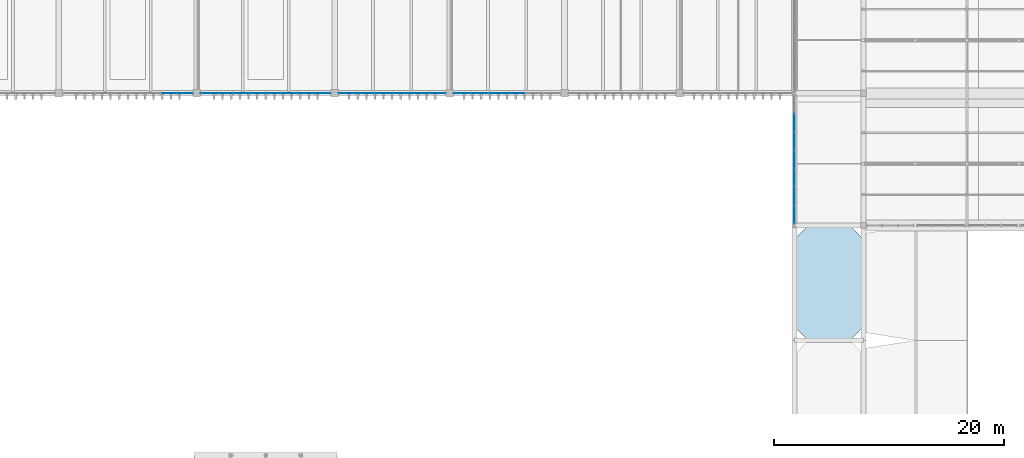
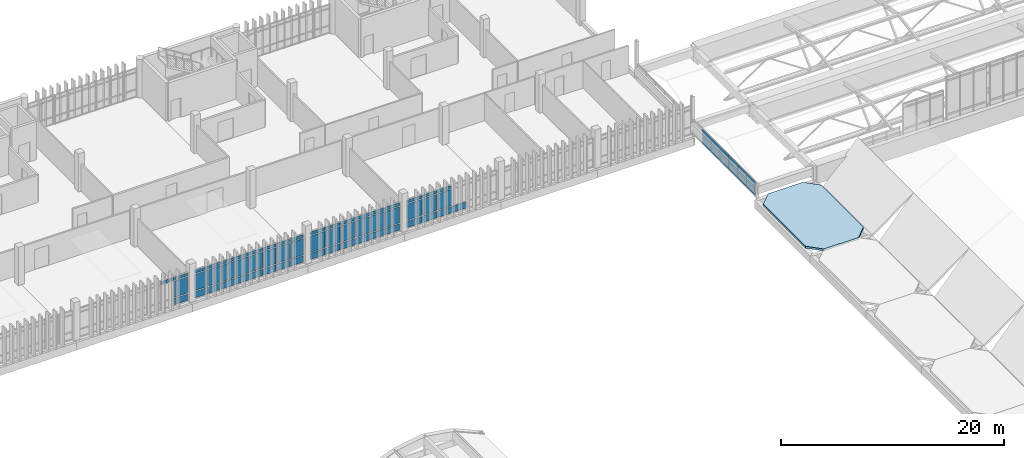
# One storey, part 68 of 82: 68 plates, 1 slab, 5 elements without a shape of their own.
"""IFC4 building model written with IfcOpenShell, lengths in metres."""

from ifc_helpers import new_model, si_unit, direction, frame, origin, origin_2d, place, context, subcontext, project, spatial, polyline, rectangle, outline, extrude, material, layer, layer_set, type_object, element, aggregate, save


model = new_model("IFC4")

# Units and contexts
model_context = context("Model", 3, precision=1e-05, world=origin(), true_north=direction((0.0, 1.0)))
body_context = subcontext(model_context, "Body", "Model", "MODEL_VIEW")
ifc_project = project(units=[si_unit("LENGTHUNIT", "METRE"), si_unit("AREAUNIT", "SQUARE_METRE"), si_unit("VOLUMEUNIT", "CUBIC_METRE"), si_unit("PLANEANGLEUNIT", "RADIAN"), si_unit("MASSUNIT", "GRAM", prefix="KILO")], contexts=[model_context])

# Site, building, storey
site_placement = place(None, origin())
site = spatial("IfcSite", under=ifc_project, at=site_placement, CompositionType="ELEMENT")
building_placement = place(site_placement, origin())
building = spatial("IfcBuilding", under=site, at=building_placement, Name="Mersad Railyard Sports Hall", CompositionType="ELEMENT")
storey_placement = place(building_placement, frame((0.0, 0.0, 13.199951171875)))
storey = spatial("IfcBuildingStorey", under=building, at=storey_placement, Name="L03", CompositionType="ELEMENT", Elevation=13.199951171875)

# Curtain wall, plates
ifc_material_1 = material(Name="Aluminium 6063-T6", Category="aluminium")
ifc_layer_1 = layer(ifc_material_1, 0.159912109375)
ifc_layer_set_1 = layer_set([ifc_layer_1], Name="Aluminium 6063-T6")
curtain_wall_type_1 = type_object("IfcCurtainWallType", Name="ARC-CW-CW21", PredefinedType="USERDEFINED", material=ifc_layer_set_1)
curtain_wall_1_placement = place(storey_placement, origin())
curtain_wall_1 = element("IfcCurtainWall", 1, at=curtain_wall_1_placement, inside=storey, type_object=curtain_wall_type_1, Name="Curtain wall CW21-0080", ObjectType="CURTAIN WALL", PredefinedType="USERDEFINED")
ifc_material_2 = material(Name="Solar-control glass", Category="glass")
ifc_layer_2 = layer(ifc_material_2, 0.028076171875)
ifc_layer_set_2 = layer_set([ifc_layer_2], Name="Solar-control glass")
plate_type = type_object("IfcPlateType", Name="ARC-CW-PNL01", PredefinedType="CURTAIN_PANEL", material=ifc_layer_set_2)
plate_1_placement = place(storey_placement, frame((131.0, 74.467041015625, 0.0849609375), z_axis=(0.0, 0.0, 1.0), x_axis=(0.0, 1.0, 0.0)))
plate_1 = element("IfcPlate", 2, at=plate_1_placement, type_object=plate_type, Name="CW21 Glazed panel 1-1", PredefinedType="CURTAIN_PANEL", context=body_context, shape_type="SweptSolid", body=[
    extrude(rectangle(XDim=1.55029296875, YDim=0.028076171875, at=origin_2d()), origin(), (0.0, 0.0, 1.0), 0.735107421875),
])
plate_2_placement = place(storey_placement, frame((131.0, 74.467041015625, 0.91015625), z_axis=(0.0, 0.0, 1.0), x_axis=(0.0, 1.0, 0.0)))
plate_2 = element("IfcPlate", 3, at=plate_2_placement, type_object=plate_type, Name="CW21 Glazed panel 1-2", PredefinedType="CURTAIN_PANEL", context=body_context, shape_type="SweptSolid", body=[
    extrude(rectangle(XDim=1.55029296875, YDim=0.028076171875, at=origin_2d()), origin(), (0.0, 0.0, 1.0), 0.735107421875),
])
plate_3_placement = place(storey_placement, frame((131.0, 76.0615234375, 0.0849609375), z_axis=(0.0, 0.0, 1.0), x_axis=(0.0, 1.0, 0.0)))
plate_3 = element("IfcPlate", 4, at=plate_3_placement, type_object=plate_type, Name="CW21 Glazed panel 2-1", PredefinedType="CURTAIN_PANEL", context=body_context, shape_type="SweptSolid", body=[
    extrude(rectangle(XDim=1.55029296875, YDim=0.028076171875, at=origin_2d()), origin(), (0.0, 0.0, 1.0), 0.735107421875),
])
plate_4_placement = place(storey_placement, frame((131.0, 76.0615234375, 0.91015625), z_axis=(0.0, 0.0, 1.0), x_axis=(0.0, 1.0, 0.0)))
plate_4 = element("IfcPlate", 5, at=plate_4_placement, type_object=plate_type, Name="CW21 Glazed panel 2-2", PredefinedType="CURTAIN_PANEL", context=body_context, shape_type="SweptSolid", body=[
    extrude(rectangle(XDim=1.55029296875, YDim=0.028076171875, at=origin_2d()), origin(), (0.0, 0.0, 1.0), 0.735107421875),
])
plate_5_placement = place(storey_placement, frame((131.0, 77.65576171875, 0.0849609375), z_axis=(0.0, 0.0, 1.0), x_axis=(0.0, 1.0, 0.0)))
plate_5 = element("IfcPlate", 6, at=plate_5_placement, type_object=plate_type, Name="CW21 Glazed panel 3-1", PredefinedType="CURTAIN_PANEL", context=body_context, shape_type="SweptSolid", body=[
    extrude(rectangle(XDim=1.55029296875, YDim=0.028076171875, at=origin_2d()), origin(), (0.0, 0.0, 1.0), 0.735107421875),
])
plate_6_placement = place(storey_placement, frame((131.0, 77.65576171875, 0.91015625), z_axis=(0.0, 0.0, 1.0), x_axis=(0.0, 1.0, 0.0)))
plate_6 = element("IfcPlate", 7, at=plate_6_placement, type_object=plate_type, Name="CW21 Glazed panel 3-2", PredefinedType="CURTAIN_PANEL", context=body_context, shape_type="SweptSolid", body=[
    extrude(rectangle(XDim=1.55029296875, YDim=0.028076171875, at=origin_2d()), origin(), (0.0, 0.0, 1.0), 0.735107421875),
])
plate_7_placement = place(storey_placement, frame((131.0, 79.25, 0.0849609375), z_axis=(0.0, 0.0, 1.0), x_axis=(0.0, 1.0, 0.0)))
plate_7 = element("IfcPlate", 8, at=plate_7_placement, type_object=plate_type, Name="CW21 Glazed panel 4-1", PredefinedType="CURTAIN_PANEL", context=body_context, shape_type="SweptSolid", body=[
    extrude(rectangle(XDim=1.55029296875, YDim=0.028076171875, at=origin_2d()), origin(), (0.0, 0.0, 1.0), 0.735107421875),
])
plate_8_placement = place(storey_placement, frame((131.0, 79.25, 0.91015625), z_axis=(0.0, 0.0, 1.0), x_axis=(0.0, 1.0, 0.0)))
plate_8 = element("IfcPlate", 9, at=plate_8_placement, type_object=plate_type, Name="CW21 Glazed panel 4-2", PredefinedType="CURTAIN_PANEL", context=body_context, shape_type="SweptSolid", body=[
    extrude(rectangle(XDim=1.55029296875, YDim=0.028076171875, at=origin_2d()), origin(), (0.0, 0.0, 1.0), 0.735107421875),
])
plate_9_placement = place(storey_placement, frame((131.0, 80.84423828125, 0.0849609375), z_axis=(0.0, 0.0, 1.0), x_axis=(0.0, 1.0, 0.0)))
plate_9 = element("IfcPlate", 10, at=plate_9_placement, type_object=plate_type, Name="CW21 Glazed panel 5-1", PredefinedType="CURTAIN_PANEL", context=body_context, shape_type="SweptSolid", body=[
    extrude(rectangle(XDim=1.55029296875, YDim=0.028076171875, at=origin_2d()), origin(), (0.0, 0.0, 1.0), 0.735107421875),
])
plate_10_placement = place(storey_placement, frame((131.0, 80.84423828125, 0.91015625), z_axis=(0.0, 0.0, 1.0), x_axis=(0.0, 1.0, 0.0)))
plate_10 = element("IfcPlate", 11, at=plate_10_placement, type_object=plate_type, Name="CW21 Glazed panel 5-2", PredefinedType="CURTAIN_PANEL", context=body_context, shape_type="SweptSolid", body=[
    extrude(rectangle(XDim=1.55029296875, YDim=0.028076171875, at=origin_2d()), origin(), (0.0, 0.0, 1.0), 0.735107421875),
])
plate_11_placement = place(storey_placement, frame((131.0, 82.4384765625, 0.0849609375), z_axis=(0.0, 0.0, 1.0), x_axis=(0.0, 1.0, 0.0)))
plate_11 = element("IfcPlate", 12, at=plate_11_placement, type_object=plate_type, Name="CW21 Glazed panel 6-1", PredefinedType="CURTAIN_PANEL", context=body_context, shape_type="SweptSolid", body=[
    extrude(rectangle(XDim=1.55029296875, YDim=0.028076171875, at=origin_2d()), origin(), (0.0, 0.0, 1.0), 0.735107421875),
])
plate_12_placement = place(storey_placement, frame((131.0, 82.4384765625, 0.91015625), z_axis=(0.0, 0.0, 1.0), x_axis=(0.0, 1.0, 0.0)))
plate_12 = element("IfcPlate", 13, at=plate_12_placement, type_object=plate_type, Name="CW21 Glazed panel 6-2", PredefinedType="CURTAIN_PANEL", context=body_context, shape_type="SweptSolid", body=[
    extrude(rectangle(XDim=1.55029296875, YDim=0.028076171875, at=origin_2d()), origin(), (0.0, 0.0, 1.0), 0.735107421875),
])
aggregate(curtain_wall_1, [plate_1, plate_2, plate_3, plate_4, plate_5, plate_6, plate_7, plate_8, plate_9, plate_10, plate_11, plate_12])

ifc_layer_3 = layer(ifc_material_1, 0.159912109375)
ifc_layer_set_3 = layer_set([ifc_layer_3], Name="Aluminium 6063-T6")
curtain_wall_type_2 = type_object("IfcCurtainWallType", Name="ARC-CW-CW59", PredefinedType="USERDEFINED", material=ifc_layer_set_3)
curtain_wall_2_placement = place(storey_placement, origin())
curtain_wall_2 = element("IfcCurtainWall", 14, at=curtain_wall_2_placement, inside=storey, type_object=curtain_wall_type_2, Name="Curtain wall CW59-0156", ObjectType="CURTAIN WALL", PredefinedType="USERDEFINED")
plate_13_placement = place(storey_placement, frame((77.9482421875, 85.0, 0.0849609375), z_axis=(0.0, 0.0, 1.0), x_axis=(-1.0, 0.0, 0.0)))
plate_13 = element("IfcPlate", 15, at=plate_13_placement, type_object=plate_type, Name="CW59 Glazed panel 1-1", PredefinedType="CURTAIN_PANEL", context=body_context, shape_type="SweptSolid", body=[
    extrude(rectangle(XDim=1.36962890625, YDim=0.028076171875, at=origin_2d()), origin(), (0.0, 0.0, 1.0), 0.719970703125),
])
plate_14_placement = place(storey_placement, frame((77.9482421875, 85.0, 0.89501953125), z_axis=(0.0, 0.0, 1.0), x_axis=(-1.0, 0.0, 0.0)))
plate_14 = element("IfcPlate", 16, at=plate_14_placement, type_object=plate_type, Name="CW59 Glazed panel 1-2", PredefinedType="CURTAIN_PANEL", context=body_context, shape_type="SweptSolid", body=[
    extrude(rectangle(XDim=1.36962890625, YDim=0.028076171875, at=origin_2d()), origin(), (0.0, 0.0, 1.0), 1.7900390625),
])
plate_15_placement = place(storey_placement, frame((77.9482421875, 85.0, 2.77490234375), z_axis=(0.0, 0.0, 1.0), x_axis=(-1.0, 0.0, 0.0)))
plate_15 = element("IfcPlate", 17, at=plate_15_placement, type_object=plate_type, Name="CW59 Glazed panel 1-3", PredefinedType="CURTAIN_PANEL", context=body_context, shape_type="SweptSolid", body=[
    extrude(rectangle(XDim=1.36962890625, YDim=0.028076171875, at=origin_2d()), origin(), (0.0, 0.0, 1.0), 0.35009765625),
])
plate_16_placement = place(storey_placement, frame((76.534423828125, 85.0, 2.77490234375), z_axis=(0.0, 0.0, 1.0), x_axis=(-1.0, 0.0, 0.0)))
plate_16 = element("IfcPlate", 18, at=plate_16_placement, type_object=plate_type, Name="CW59 Glazed panel 2-3", PredefinedType="CURTAIN_PANEL", context=body_context, shape_type="SweptSolid", body=[
    extrude(rectangle(XDim=1.36962890625, YDim=0.028076171875, at=origin_2d()), origin(), (0.0, 0.0, 1.0), 0.35009765625),
])
aggregate(curtain_wall_2, [plate_13, plate_14, plate_15, plate_16])

curtain_wall_3_placement = place(storey_placement, origin())
curtain_wall_3 = element("IfcCurtainWall", 19, at=curtain_wall_3_placement, inside=storey, type_object=curtain_wall_type_2, Name="Curtain wall CW59-0157", ObjectType="CURTAIN WALL", PredefinedType="USERDEFINED")
plate_17_placement = place(storey_placement, frame((89.9482421875, 85.0, 0.0849609375), z_axis=(0.0, 0.0, 1.0), x_axis=(-1.0, 0.0, 0.0)))
plate_17 = element("IfcPlate", 20, at=plate_17_placement, type_object=plate_type, Name="CW59 Glazed panel 1-1", PredefinedType="CURTAIN_PANEL", context=body_context, shape_type="SweptSolid", body=[
    extrude(rectangle(XDim=1.36962890625, YDim=0.028076171875, at=origin_2d()), origin(), (0.0, 0.0, 1.0), 0.719970703125),
])
plate_18_placement = place(storey_placement, frame((89.9482421875, 85.0, 0.89501953125), z_axis=(0.0, 0.0, 1.0), x_axis=(-1.0, 0.0, 0.0)))
plate_18 = element("IfcPlate", 21, at=plate_18_placement, type_object=plate_type, Name="CW59 Glazed panel 1-2", PredefinedType="CURTAIN_PANEL", context=body_context, shape_type="SweptSolid", body=[
    extrude(rectangle(XDim=1.36962890625, YDim=0.028076171875, at=origin_2d()), origin(), (0.0, 0.0, 1.0), 1.7900390625),
])
plate_19_placement = place(storey_placement, frame((89.9482421875, 85.0, 2.77490234375), z_axis=(0.0, 0.0, 1.0), x_axis=(-1.0, 0.0, 0.0)))
plate_19 = element("IfcPlate", 22, at=plate_19_placement, type_object=plate_type, Name="CW59 Glazed panel 1-3", PredefinedType="CURTAIN_PANEL", context=body_context, shape_type="SweptSolid", body=[
    extrude(rectangle(XDim=1.36962890625, YDim=0.028076171875, at=origin_2d()), origin(), (0.0, 0.0, 1.0), 0.35009765625),
])
plate_20_placement = place(storey_placement, frame((88.534423828125, 85.0, 0.0849609375), z_axis=(0.0, 0.0, 1.0), x_axis=(-1.0, 0.0, 0.0)))
plate_20 = element("IfcPlate", 23, at=plate_20_placement, type_object=plate_type, Name="CW59 Glazed panel 2-1", PredefinedType="CURTAIN_PANEL", context=body_context, shape_type="SweptSolid", body=[
    extrude(rectangle(XDim=1.36962890625, YDim=0.028076171875, at=origin_2d()), origin(), (0.0, 0.0, 1.0), 0.719970703125),
])
plate_21_placement = place(storey_placement, frame((88.534423828125, 85.0, 0.89501953125), z_axis=(0.0, 0.0, 1.0), x_axis=(-1.0, 0.0, 0.0)))
plate_21 = element("IfcPlate", 24, at=plate_21_placement, type_object=plate_type, Name="CW59 Glazed panel 2-2", PredefinedType="CURTAIN_PANEL", context=body_context, shape_type="SweptSolid", body=[
    extrude(rectangle(XDim=1.36962890625, YDim=0.028076171875, at=origin_2d()), origin(), (0.0, 0.0, 1.0), 1.7900390625),
])
plate_22_placement = place(storey_placement, frame((88.534423828125, 85.0, 2.77490234375), z_axis=(0.0, 0.0, 1.0), x_axis=(-1.0, 0.0, 0.0)))
plate_22 = element("IfcPlate", 25, at=plate_22_placement, type_object=plate_type, Name="CW59 Glazed panel 2-3", PredefinedType="CURTAIN_PANEL", context=body_context, shape_type="SweptSolid", body=[
    extrude(rectangle(XDim=1.36962890625, YDim=0.028076171875, at=origin_2d()), origin(), (0.0, 0.0, 1.0), 0.35009765625),
])
plate_23_placement = place(storey_placement, frame((87.12060546875, 85.0, 0.0849609375), z_axis=(0.0, 0.0, 1.0), x_axis=(-1.0, 0.0, 0.0)))
plate_23 = element("IfcPlate", 26, at=plate_23_placement, type_object=plate_type, Name="CW59 Glazed panel 3-1", PredefinedType="CURTAIN_PANEL", context=body_context, shape_type="SweptSolid", body=[
    extrude(rectangle(XDim=1.36962890625, YDim=0.028076171875, at=origin_2d()), origin(), (0.0, 0.0, 1.0), 0.719970703125),
])
plate_24_placement = place(storey_placement, frame((87.12060546875, 85.0, 0.89501953125), z_axis=(0.0, 0.0, 1.0), x_axis=(-1.0, 0.0, 0.0)))
plate_24 = element("IfcPlate", 27, at=plate_24_placement, type_object=plate_type, Name="CW59 Glazed panel 3-2", PredefinedType="CURTAIN_PANEL", context=body_context, shape_type="SweptSolid", body=[
    extrude(rectangle(XDim=1.36962890625, YDim=0.028076171875, at=origin_2d()), origin(), (0.0, 0.0, 1.0), 1.7900390625),
])
plate_25_placement = place(storey_placement, frame((87.12060546875, 85.0, 2.77490234375), z_axis=(0.0, 0.0, 1.0), x_axis=(-1.0, 0.0, 0.0)))
plate_25 = element("IfcPlate", 28, at=plate_25_placement, type_object=plate_type, Name="CW59 Glazed panel 3-3", PredefinedType="CURTAIN_PANEL", context=body_context, shape_type="SweptSolid", body=[
    extrude(rectangle(XDim=1.36962890625, YDim=0.028076171875, at=origin_2d()), origin(), (0.0, 0.0, 1.0), 0.35009765625),
])
plate_26_placement = place(storey_placement, frame((85.706787109375, 85.0, 0.0849609375), z_axis=(0.0, 0.0, 1.0), x_axis=(-1.0, 0.0, 0.0)))
plate_26 = element("IfcPlate", 29, at=plate_26_placement, type_object=plate_type, Name="CW59 Glazed panel 4-1", PredefinedType="CURTAIN_PANEL", context=body_context, shape_type="SweptSolid", body=[
    extrude(rectangle(XDim=1.36962890625, YDim=0.028076171875, at=origin_2d()), origin(), (0.0, 0.0, 1.0), 0.719970703125),
])
plate_27_placement = place(storey_placement, frame((85.706787109375, 85.0, 0.89501953125), z_axis=(0.0, 0.0, 1.0), x_axis=(-1.0, 0.0, 0.0)))
plate_27 = element("IfcPlate", 30, at=plate_27_placement, type_object=plate_type, Name="CW59 Glazed panel 4-2", PredefinedType="CURTAIN_PANEL", context=body_context, shape_type="SweptSolid", body=[
    extrude(rectangle(XDim=1.36962890625, YDim=0.028076171875, at=origin_2d()), origin(), (0.0, 0.0, 1.0), 1.7900390625),
])
plate_28_placement = place(storey_placement, frame((85.706787109375, 85.0, 2.77490234375), z_axis=(0.0, 0.0, 1.0), x_axis=(-1.0, 0.0, 0.0)))
plate_28 = element("IfcPlate", 31, at=plate_28_placement, type_object=plate_type, Name="CW59 Glazed panel 4-3", PredefinedType="CURTAIN_PANEL", context=body_context, shape_type="SweptSolid", body=[
    extrude(rectangle(XDim=1.36962890625, YDim=0.028076171875, at=origin_2d()), origin(), (0.0, 0.0, 1.0), 0.35009765625),
])
plate_29_placement = place(storey_placement, frame((84.293212890625, 85.0, 0.0849609375), z_axis=(0.0, 0.0, 1.0), x_axis=(-1.0, 0.0, 0.0)))
plate_29 = element("IfcPlate", 32, at=plate_29_placement, type_object=plate_type, Name="CW59 Glazed panel 5-1", PredefinedType="CURTAIN_PANEL", context=body_context, shape_type="SweptSolid", body=[
    extrude(rectangle(XDim=1.36962890625, YDim=0.028076171875, at=origin_2d()), origin(), (0.0, 0.0, 1.0), 0.719970703125),
])
plate_30_placement = place(storey_placement, frame((84.293212890625, 85.0, 0.89501953125), z_axis=(0.0, 0.0, 1.0), x_axis=(-1.0, 0.0, 0.0)))
plate_30 = element("IfcPlate", 33, at=plate_30_placement, type_object=plate_type, Name="CW59 Glazed panel 5-2", PredefinedType="CURTAIN_PANEL", context=body_context, shape_type="SweptSolid", body=[
    extrude(rectangle(XDim=1.36962890625, YDim=0.028076171875, at=origin_2d()), origin(), (0.0, 0.0, 1.0), 1.7900390625),
])
plate_31_placement = place(storey_placement, frame((84.293212890625, 85.0, 2.77490234375), z_axis=(0.0, 0.0, 1.0), x_axis=(-1.0, 0.0, 0.0)))
plate_31 = element("IfcPlate", 34, at=plate_31_placement, type_object=plate_type, Name="CW59 Glazed panel 5-3", PredefinedType="CURTAIN_PANEL", context=body_context, shape_type="SweptSolid", body=[
    extrude(rectangle(XDim=1.36962890625, YDim=0.028076171875, at=origin_2d()), origin(), (0.0, 0.0, 1.0), 0.35009765625),
])
plate_32_placement = place(storey_placement, frame((82.87939453125, 85.0, 0.0849609375), z_axis=(0.0, 0.0, 1.0), x_axis=(-1.0, 0.0, 0.0)))
plate_32 = element("IfcPlate", 35, at=plate_32_placement, type_object=plate_type, Name="CW59 Glazed panel 6-1", PredefinedType="CURTAIN_PANEL", context=body_context, shape_type="SweptSolid", body=[
    extrude(rectangle(XDim=1.36962890625, YDim=0.028076171875, at=origin_2d()), origin(), (0.0, 0.0, 1.0), 0.719970703125),
])
plate_33_placement = place(storey_placement, frame((82.87939453125, 85.0, 0.89501953125), z_axis=(0.0, 0.0, 1.0), x_axis=(-1.0, 0.0, 0.0)))
plate_33 = element("IfcPlate", 36, at=plate_33_placement, type_object=plate_type, Name="CW59 Glazed panel 6-2", PredefinedType="CURTAIN_PANEL", context=body_context, shape_type="SweptSolid", body=[
    extrude(rectangle(XDim=1.36962890625, YDim=0.028076171875, at=origin_2d()), origin(), (0.0, 0.0, 1.0), 1.7900390625),
])
plate_34_placement = place(storey_placement, frame((82.87939453125, 85.0, 2.77490234375), z_axis=(0.0, 0.0, 1.0), x_axis=(-1.0, 0.0, 0.0)))
plate_34 = element("IfcPlate", 37, at=plate_34_placement, type_object=plate_type, Name="CW59 Glazed panel 6-3", PredefinedType="CURTAIN_PANEL", context=body_context, shape_type="SweptSolid", body=[
    extrude(rectangle(XDim=1.36962890625, YDim=0.028076171875, at=origin_2d()), origin(), (0.0, 0.0, 1.0), 0.35009765625),
])
plate_35_placement = place(storey_placement, frame((81.465576171875, 85.0, 0.0849609375), z_axis=(0.0, 0.0, 1.0), x_axis=(-1.0, 0.0, 0.0)))
plate_35 = element("IfcPlate", 38, at=plate_35_placement, type_object=plate_type, Name="CW59 Glazed panel 7-1", PredefinedType="CURTAIN_PANEL", context=body_context, shape_type="SweptSolid", body=[
    extrude(rectangle(XDim=1.36962890625, YDim=0.028076171875, at=origin_2d()), origin(), (0.0, 0.0, 1.0), 0.719970703125),
])
plate_36_placement = place(storey_placement, frame((81.465576171875, 85.0, 0.89501953125), z_axis=(0.0, 0.0, 1.0), x_axis=(-1.0, 0.0, 0.0)))
plate_36 = element("IfcPlate", 39, at=plate_36_placement, type_object=plate_type, Name="CW59 Glazed panel 7-2", PredefinedType="CURTAIN_PANEL", context=body_context, shape_type="SweptSolid", body=[
    extrude(rectangle(XDim=1.36962890625, YDim=0.028076171875, at=origin_2d()), origin(), (0.0, 0.0, 1.0), 1.7900390625),
])
plate_37_placement = place(storey_placement, frame((81.465576171875, 85.0, 2.77490234375), z_axis=(0.0, 0.0, 1.0), x_axis=(-1.0, 0.0, 0.0)))
plate_37 = element("IfcPlate", 40, at=plate_37_placement, type_object=plate_type, Name="CW59 Glazed panel 7-3", PredefinedType="CURTAIN_PANEL", context=body_context, shape_type="SweptSolid", body=[
    extrude(rectangle(XDim=1.36962890625, YDim=0.028076171875, at=origin_2d()), origin(), (0.0, 0.0, 1.0), 0.35009765625),
])
plate_38_placement = place(storey_placement, frame((80.0517578125, 85.0, 0.0849609375), z_axis=(0.0, 0.0, 1.0), x_axis=(-1.0, 0.0, 0.0)))
plate_38 = element("IfcPlate", 41, at=plate_38_placement, type_object=plate_type, Name="CW59 Glazed panel 8-1", PredefinedType="CURTAIN_PANEL", context=body_context, shape_type="SweptSolid", body=[
    extrude(rectangle(XDim=1.36962890625, YDim=0.028076171875, at=origin_2d()), origin(), (0.0, 0.0, 1.0), 0.719970703125),
])
plate_39_placement = place(storey_placement, frame((80.0517578125, 85.0, 0.89501953125), z_axis=(0.0, 0.0, 1.0), x_axis=(-1.0, 0.0, 0.0)))
plate_39 = element("IfcPlate", 42, at=plate_39_placement, type_object=plate_type, Name="CW59 Glazed panel 8-2", PredefinedType="CURTAIN_PANEL", context=body_context, shape_type="SweptSolid", body=[
    extrude(rectangle(XDim=1.36962890625, YDim=0.028076171875, at=origin_2d()), origin(), (0.0, 0.0, 1.0), 1.7900390625),
])
plate_40_placement = place(storey_placement, frame((80.0517578125, 85.0, 2.77490234375), z_axis=(0.0, 0.0, 1.0), x_axis=(-1.0, 0.0, 0.0)))
plate_40 = element("IfcPlate", 43, at=plate_40_placement, type_object=plate_type, Name="CW59 Glazed panel 8-3", PredefinedType="CURTAIN_PANEL", context=body_context, shape_type="SweptSolid", body=[
    extrude(rectangle(XDim=1.36962890625, YDim=0.028076171875, at=origin_2d()), origin(), (0.0, 0.0, 1.0), 0.35009765625),
])
aggregate(curtain_wall_3, [plate_17, plate_18, plate_19, plate_20, plate_21, plate_22, plate_23, plate_24, plate_25, plate_26, plate_27, plate_28, plate_29, plate_30, plate_31, plate_32, plate_33, plate_34, plate_35, plate_36, plate_37, plate_38, plate_39, plate_40])

ifc_layer_4 = layer(ifc_material_1, 0.159912109375)
ifc_layer_set_4 = layer_set([ifc_layer_4], Name="Aluminium 6063-T6")
curtain_wall_type_3 = type_object("IfcCurtainWallType", Name="ARC-CW-CW60", PredefinedType="USERDEFINED", material=ifc_layer_set_4)
curtain_wall_4_placement = place(storey_placement, origin())
curtain_wall_4 = element("IfcCurtainWall", 44, at=curtain_wall_4_placement, inside=storey, type_object=curtain_wall_type_3, Name="Curtain wall CW60-0158", ObjectType="CURTAIN WALL", PredefinedType="USERDEFINED")
plate_41_placement = place(storey_placement, frame((99.879150390625, 85.0, 0.0849609375), z_axis=(0.0, 0.0, 1.0), x_axis=(-1.0, 0.0, 0.0)))
plate_41 = element("IfcPlate", 45, at=plate_41_placement, type_object=plate_type, Name="CW60 Glazed panel 1-1", PredefinedType="CURTAIN_PANEL", context=body_context, shape_type="SweptSolid", body=[
    extrude(rectangle(XDim=1.507568359375, YDim=0.028076171875, at=origin_2d()), origin(), (0.0, 0.0, 1.0), 0.719970703125),
])
plate_42_placement = place(storey_placement, frame((99.879150390625, 85.0, 0.89501953125), z_axis=(0.0, 0.0, 1.0), x_axis=(-1.0, 0.0, 0.0)))
plate_42 = element("IfcPlate", 46, at=plate_42_placement, type_object=plate_type, Name="CW60 Glazed panel 1-2", PredefinedType="CURTAIN_PANEL", context=body_context, shape_type="SweptSolid", body=[
    extrude(rectangle(XDim=1.507568359375, YDim=0.028076171875, at=origin_2d()), origin(), (0.0, 0.0, 1.0), 1.7900390625),
])
plate_43_placement = place(storey_placement, frame((99.879150390625, 85.0, 2.77490234375), z_axis=(0.0, 0.0, 1.0), x_axis=(-1.0, 0.0, 0.0)))
plate_43 = element("IfcPlate", 47, at=plate_43_placement, type_object=plate_type, Name="CW60 Glazed panel 1-3", PredefinedType="CURTAIN_PANEL", context=body_context, shape_type="SweptSolid", body=[
    extrude(rectangle(XDim=1.507568359375, YDim=0.028076171875, at=origin_2d()), origin(), (0.0, 0.0, 1.0), 0.35009765625),
])
plate_44_placement = place(storey_placement, frame((98.327392578125, 85.0, 0.0849609375), z_axis=(0.0, 0.0, 1.0), x_axis=(-1.0, 0.0, 0.0)))
plate_44 = element("IfcPlate", 48, at=plate_44_placement, type_object=plate_type, Name="CW60 Glazed panel 2-1", PredefinedType="CURTAIN_PANEL", context=body_context, shape_type="SweptSolid", body=[
    extrude(rectangle(XDim=1.507568359375, YDim=0.028076171875, at=origin_2d()), origin(), (0.0, 0.0, 1.0), 0.719970703125),
])
plate_45_placement = place(storey_placement, frame((98.327392578125, 85.0, 0.89501953125), z_axis=(0.0, 0.0, 1.0), x_axis=(-1.0, 0.0, 0.0)))
plate_45 = element("IfcPlate", 49, at=plate_45_placement, type_object=plate_type, Name="CW60 Glazed panel 2-2", PredefinedType="CURTAIN_PANEL", context=body_context, shape_type="SweptSolid", body=[
    extrude(rectangle(XDim=1.507568359375, YDim=0.028076171875, at=origin_2d()), origin(), (0.0, 0.0, 1.0), 1.7900390625),
])
plate_46_placement = place(storey_placement, frame((98.327392578125, 85.0, 2.77490234375), z_axis=(0.0, 0.0, 1.0), x_axis=(-1.0, 0.0, 0.0)))
plate_46 = element("IfcPlate", 50, at=plate_46_placement, type_object=plate_type, Name="CW60 Glazed panel 2-3", PredefinedType="CURTAIN_PANEL", context=body_context, shape_type="SweptSolid", body=[
    extrude(rectangle(XDim=1.507568359375, YDim=0.028076171875, at=origin_2d()), origin(), (0.0, 0.0, 1.0), 0.35009765625),
])
plate_47_placement = place(storey_placement, frame((96.77587890625, 85.0, 0.0849609375), z_axis=(0.0, 0.0, 1.0), x_axis=(-1.0, 0.0, 0.0)))
plate_47 = element("IfcPlate", 51, at=plate_47_placement, type_object=plate_type, Name="CW60 Glazed panel 3-1", PredefinedType="CURTAIN_PANEL", context=body_context, shape_type="SweptSolid", body=[
    extrude(rectangle(XDim=1.507568359375, YDim=0.028076171875, at=origin_2d()), origin(), (0.0, 0.0, 1.0), 0.719970703125),
])
plate_48_placement = place(storey_placement, frame((96.77587890625, 85.0, 0.89501953125), z_axis=(0.0, 0.0, 1.0), x_axis=(-1.0, 0.0, 0.0)))
plate_48 = element("IfcPlate", 52, at=plate_48_placement, type_object=plate_type, Name="CW60 Glazed panel 3-2", PredefinedType="CURTAIN_PANEL", context=body_context, shape_type="SweptSolid", body=[
    extrude(rectangle(XDim=1.507568359375, YDim=0.028076171875, at=origin_2d()), origin(), (0.0, 0.0, 1.0), 1.7900390625),
])
plate_49_placement = place(storey_placement, frame((96.77587890625, 85.0, 2.77490234375), z_axis=(0.0, 0.0, 1.0), x_axis=(-1.0, 0.0, 0.0)))
plate_49 = element("IfcPlate", 53, at=plate_49_placement, type_object=plate_type, Name="CW60 Glazed panel 3-3", PredefinedType="CURTAIN_PANEL", context=body_context, shape_type="SweptSolid", body=[
    extrude(rectangle(XDim=1.507568359375, YDim=0.028076171875, at=origin_2d()), origin(), (0.0, 0.0, 1.0), 0.35009765625),
])
plate_50_placement = place(storey_placement, frame((95.22412109375, 85.0, 0.0849609375), z_axis=(0.0, 0.0, 1.0), x_axis=(-1.0, 0.0, 0.0)))
plate_50 = element("IfcPlate", 54, at=plate_50_placement, type_object=plate_type, Name="CW60 Glazed panel 4-1", PredefinedType="CURTAIN_PANEL", context=body_context, shape_type="SweptSolid", body=[
    extrude(rectangle(XDim=1.507568359375, YDim=0.028076171875, at=origin_2d()), origin(), (0.0, 0.0, 1.0), 0.719970703125),
])
plate_51_placement = place(storey_placement, frame((95.22412109375, 85.0, 0.89501953125), z_axis=(0.0, 0.0, 1.0), x_axis=(-1.0, 0.0, 0.0)))
plate_51 = element("IfcPlate", 55, at=plate_51_placement, type_object=plate_type, Name="CW60 Glazed panel 4-2", PredefinedType="CURTAIN_PANEL", context=body_context, shape_type="SweptSolid", body=[
    extrude(rectangle(XDim=1.507568359375, YDim=0.028076171875, at=origin_2d()), origin(), (0.0, 0.0, 1.0), 1.7900390625),
])
plate_52_placement = place(storey_placement, frame((95.22412109375, 85.0, 2.77490234375), z_axis=(0.0, 0.0, 1.0), x_axis=(-1.0, 0.0, 0.0)))
plate_52 = element("IfcPlate", 56, at=plate_52_placement, type_object=plate_type, Name="CW60 Glazed panel 4-3", PredefinedType="CURTAIN_PANEL", context=body_context, shape_type="SweptSolid", body=[
    extrude(rectangle(XDim=1.507568359375, YDim=0.028076171875, at=origin_2d()), origin(), (0.0, 0.0, 1.0), 0.35009765625),
])
plate_53_placement = place(storey_placement, frame((93.672607421875, 85.0, 0.0849609375), z_axis=(0.0, 0.0, 1.0), x_axis=(-1.0, 0.0, 0.0)))
plate_53 = element("IfcPlate", 57, at=plate_53_placement, type_object=plate_type, Name="CW60 Glazed panel 5-1", PredefinedType="CURTAIN_PANEL", context=body_context, shape_type="SweptSolid", body=[
    extrude(rectangle(XDim=1.507568359375, YDim=0.028076171875, at=origin_2d()), origin(), (0.0, 0.0, 1.0), 0.719970703125),
])
plate_54_placement = place(storey_placement, frame((93.672607421875, 85.0, 0.89501953125), z_axis=(0.0, 0.0, 1.0), x_axis=(-1.0, 0.0, 0.0)))
plate_54 = element("IfcPlate", 58, at=plate_54_placement, type_object=plate_type, Name="CW60 Glazed panel 5-2", PredefinedType="CURTAIN_PANEL", context=body_context, shape_type="SweptSolid", body=[
    extrude(rectangle(XDim=1.507568359375, YDim=0.028076171875, at=origin_2d()), origin(), (0.0, 0.0, 1.0), 1.7900390625),
])
plate_55_placement = place(storey_placement, frame((93.672607421875, 85.0, 2.77490234375), z_axis=(0.0, 0.0, 1.0), x_axis=(-1.0, 0.0, 0.0)))
plate_55 = element("IfcPlate", 59, at=plate_55_placement, type_object=plate_type, Name="CW60 Glazed panel 5-3", PredefinedType="CURTAIN_PANEL", context=body_context, shape_type="SweptSolid", body=[
    extrude(rectangle(XDim=1.507568359375, YDim=0.028076171875, at=origin_2d()), origin(), (0.0, 0.0, 1.0), 0.35009765625),
])
plate_56_placement = place(storey_placement, frame((92.120849609375, 85.0, 0.0849609375), z_axis=(0.0, 0.0, 1.0), x_axis=(-1.0, 0.0, 0.0)))
plate_56 = element("IfcPlate", 60, at=plate_56_placement, type_object=plate_type, Name="CW60 Glazed panel 6-1", PredefinedType="CURTAIN_PANEL", context=body_context, shape_type="SweptSolid", body=[
    extrude(rectangle(XDim=1.507568359375, YDim=0.028076171875, at=origin_2d()), origin(), (0.0, 0.0, 1.0), 0.719970703125),
])
plate_57_placement = place(storey_placement, frame((92.120849609375, 85.0, 0.89501953125), z_axis=(0.0, 0.0, 1.0), x_axis=(-1.0, 0.0, 0.0)))
plate_57 = element("IfcPlate", 61, at=plate_57_placement, type_object=plate_type, Name="CW60 Glazed panel 6-2", PredefinedType="CURTAIN_PANEL", context=body_context, shape_type="SweptSolid", body=[
    extrude(rectangle(XDim=1.507568359375, YDim=0.028076171875, at=origin_2d()), origin(), (0.0, 0.0, 1.0), 1.7900390625),
])
plate_58_placement = place(storey_placement, frame((92.120849609375, 85.0, 2.77490234375), z_axis=(0.0, 0.0, 1.0), x_axis=(-1.0, 0.0, 0.0)))
plate_58 = element("IfcPlate", 62, at=plate_58_placement, type_object=plate_type, Name="CW60 Glazed panel 6-3", PredefinedType="CURTAIN_PANEL", context=body_context, shape_type="SweptSolid", body=[
    extrude(rectangle(XDim=1.507568359375, YDim=0.028076171875, at=origin_2d()), origin(), (0.0, 0.0, 1.0), 0.35009765625),
])
aggregate(curtain_wall_4, [plate_41, plate_42, plate_43, plate_44, plate_45, plate_46, plate_47, plate_48, plate_49, plate_50, plate_51, plate_52, plate_53, plate_54, plate_55, plate_56, plate_57, plate_58])

curtain_wall_5_placement = place(storey_placement, origin())
curtain_wall_5 = element("IfcCurtainWall", 63, at=curtain_wall_5_placement, inside=storey, type_object=curtain_wall_type_3, Name="Curtain wall CW60-0159", ObjectType="CURTAIN WALL", PredefinedType="USERDEFINED")
plate_59_placement = place(storey_placement, frame((106.77587890625, 85.0, 0.0849609375), z_axis=(0.0, 0.0, 1.0), x_axis=(-1.0, 0.0, 0.0)))
plate_59 = element("IfcPlate", 64, at=plate_59_placement, type_object=plate_type, Name="CW60 Glazed panel 3-1", PredefinedType="CURTAIN_PANEL", context=body_context, shape_type="SweptSolid", body=[
    extrude(rectangle(XDim=1.507568359375, YDim=0.028076171875, at=origin_2d()), origin(), (0.0, 0.0, 1.0), 0.719970703125),
])
plate_60_placement = place(storey_placement, frame((105.22412109375, 85.0, 0.0849609375), z_axis=(0.0, 0.0, 1.0), x_axis=(-1.0, 0.0, 0.0)))
plate_60 = element("IfcPlate", 65, at=plate_60_placement, type_object=plate_type, Name="CW60 Glazed panel 4-1", PredefinedType="CURTAIN_PANEL", context=body_context, shape_type="SweptSolid", body=[
    extrude(rectangle(XDim=1.507568359375, YDim=0.028076171875, at=origin_2d()), origin(), (0.0, 0.0, 1.0), 0.719970703125),
])
plate_61_placement = place(storey_placement, frame((105.22412109375, 85.0, 0.89501953125), z_axis=(0.0, 0.0, 1.0), x_axis=(-1.0, 0.0, 0.0)))
plate_61 = element("IfcPlate", 66, at=plate_61_placement, type_object=plate_type, Name="CW60 Glazed panel 4-2", PredefinedType="CURTAIN_PANEL", context=body_context, shape_type="SweptSolid", body=[
    extrude(rectangle(XDim=1.507568359375, YDim=0.028076171875, at=origin_2d()), origin(), (0.0, 0.0, 1.0), 1.7900390625),
])
plate_62_placement = place(storey_placement, frame((105.22412109375, 85.0, 2.77490234375), z_axis=(0.0, 0.0, 1.0), x_axis=(-1.0, 0.0, 0.0)))
plate_62 = element("IfcPlate", 67, at=plate_62_placement, type_object=plate_type, Name="CW60 Glazed panel 4-3", PredefinedType="CURTAIN_PANEL", context=body_context, shape_type="SweptSolid", body=[
    extrude(rectangle(XDim=1.507568359375, YDim=0.028076171875, at=origin_2d()), origin(), (0.0, 0.0, 1.0), 0.35009765625),
])
plate_63_placement = place(storey_placement, frame((103.672607421875, 85.0, 0.0849609375), z_axis=(0.0, 0.0, 1.0), x_axis=(-1.0, 0.0, 0.0)))
plate_63 = element("IfcPlate", 68, at=plate_63_placement, type_object=plate_type, Name="CW60 Glazed panel 5-1", PredefinedType="CURTAIN_PANEL", context=body_context, shape_type="SweptSolid", body=[
    extrude(rectangle(XDim=1.507568359375, YDim=0.028076171875, at=origin_2d()), origin(), (0.0, 0.0, 1.0), 0.719970703125),
])
plate_64_placement = place(storey_placement, frame((103.672607421875, 85.0, 0.89501953125), z_axis=(0.0, 0.0, 1.0), x_axis=(-1.0, 0.0, 0.0)))
plate_64 = element("IfcPlate", 69, at=plate_64_placement, type_object=plate_type, Name="CW60 Glazed panel 5-2", PredefinedType="CURTAIN_PANEL", context=body_context, shape_type="SweptSolid", body=[
    extrude(rectangle(XDim=1.507568359375, YDim=0.028076171875, at=origin_2d()), origin(), (0.0, 0.0, 1.0), 1.7900390625),
])
plate_65_placement = place(storey_placement, frame((103.672607421875, 85.0, 2.77490234375), z_axis=(0.0, 0.0, 1.0), x_axis=(-1.0, 0.0, 0.0)))
plate_65 = element("IfcPlate", 70, at=plate_65_placement, type_object=plate_type, Name="CW60 Glazed panel 5-3", PredefinedType="CURTAIN_PANEL", context=body_context, shape_type="SweptSolid", body=[
    extrude(rectangle(XDim=1.507568359375, YDim=0.028076171875, at=origin_2d()), origin(), (0.0, 0.0, 1.0), 0.35009765625),
])
plate_66_placement = place(storey_placement, frame((102.120849609375, 85.0, 0.0849609375), z_axis=(0.0, 0.0, 1.0), x_axis=(-1.0, 0.0, 0.0)))
plate_66 = element("IfcPlate", 71, at=plate_66_placement, type_object=plate_type, Name="CW60 Glazed panel 6-1", PredefinedType="CURTAIN_PANEL", context=body_context, shape_type="SweptSolid", body=[
    extrude(rectangle(XDim=1.507568359375, YDim=0.028076171875, at=origin_2d()), origin(), (0.0, 0.0, 1.0), 0.719970703125),
])
plate_67_placement = place(storey_placement, frame((102.120849609375, 85.0, 0.89501953125), z_axis=(0.0, 0.0, 1.0), x_axis=(-1.0, 0.0, 0.0)))
plate_67 = element("IfcPlate", 72, at=plate_67_placement, type_object=plate_type, Name="CW60 Glazed panel 6-2", PredefinedType="CURTAIN_PANEL", context=body_context, shape_type="SweptSolid", body=[
    extrude(rectangle(XDim=1.507568359375, YDim=0.028076171875, at=origin_2d()), origin(), (0.0, 0.0, 1.0), 1.7900390625),
])
plate_68_placement = place(storey_placement, frame((102.120849609375, 85.0, 2.77490234375), z_axis=(0.0, 0.0, 1.0), x_axis=(-1.0, 0.0, 0.0)))
plate_68 = element("IfcPlate", 73, at=plate_68_placement, type_object=plate_type, Name="CW60 Glazed panel 6-3", PredefinedType="CURTAIN_PANEL", context=body_context, shape_type="SweptSolid", body=[
    extrude(rectangle(XDim=1.507568359375, YDim=0.028076171875, at=origin_2d()), origin(), (0.0, 0.0, 1.0), 0.35009765625),
])
aggregate(curtain_wall_5, [plate_59, plate_60, plate_61, plate_62, plate_63, plate_64, plate_65, plate_66, plate_67, plate_68])

# Slab
ifc_material_3 = material(Name="Architectural concrete C50/60", Category="concrete")
ifc_layer_5 = layer(ifc_material_3, 0.219970703125)
ifc_layer_set_5 = layer_set([ifc_layer_5], Name="Architectural concrete C50/60")
slab_type = type_object("IfcSlabType", Name="STR-SL-RF01", PredefinedType="ROOF", material=ifc_layer_set_5)
slab_placement = place(storey_placement, frame((0.0, 0.0, -0.219970703125)))
element("IfcSlab", 74, at=slab_placement, inside=storey, type_object=slab_type, Name="Slab RS01-0111", PredefinedType="ROOF", context=body_context, shape_type="SweptSolid", body=[
    extrude(outline(polyline([(132.199951171875, 63.5), (135.800048828125, 63.5), (137.0, 64.699951171875), (137.0, 72.300048828125), (135.800048828125, 73.5), (132.199951171875, 73.5), (131.0, 72.300048828125), (131.0, 64.699951171875), (132.199951171875, 63.5)])), origin(), (0.0, 0.0, 1.0), 0.219970703125),
])

save(model, "model.ifc")
